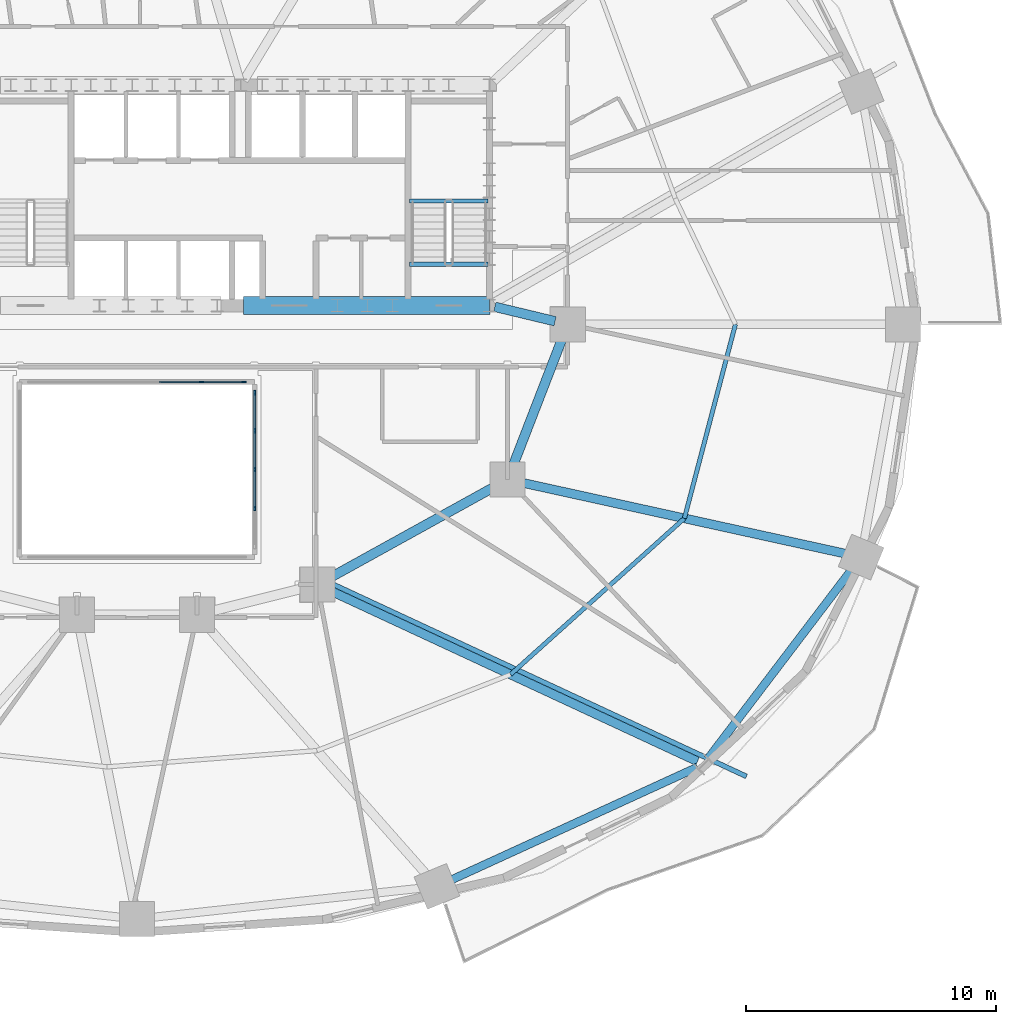
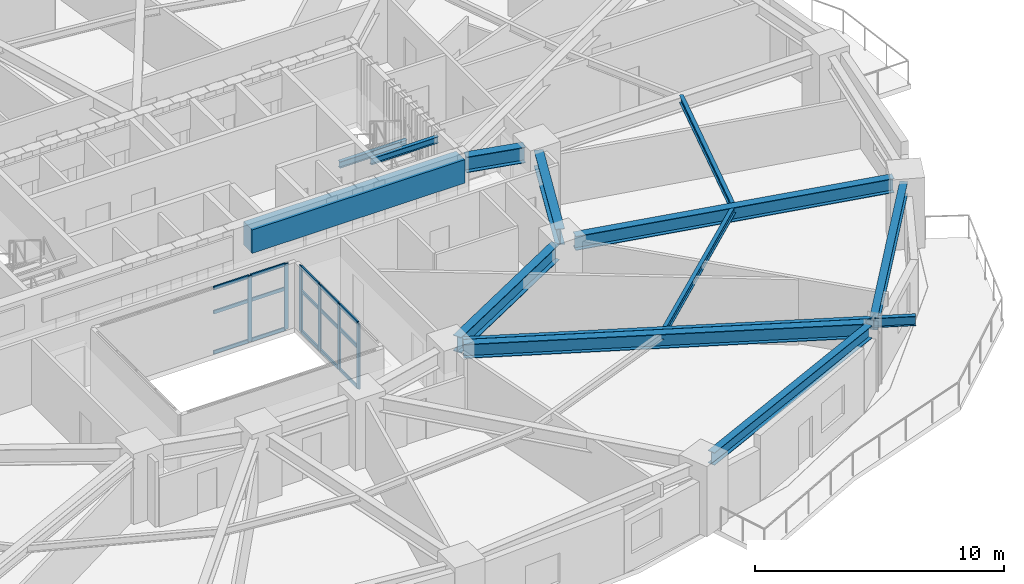
# One storey, part 6 of 17: 21 members, 13 beams, 2 elements without a shape of their own.
"""IFC4 building model written with IfcOpenShell, lengths in metres."""

import ifcopenshell
import ifcopenshell.guid

model = None  # the IFC model being written
_history = None  # IfcOwnerHistory: only IFC2X3 demands one
_inside = {}  # id of a spatial element -> (the spatial element, [elements in it])
_under = {}  # id of a project, library or spatial element -> (it, [spatial elements below it])
_declared = {}  # id of a project -> (the project, [libraries it declares])
_typed = {}  # id of a type object -> (the type object, [elements of that type])
_made_of = {}  # id of a material, layer set ... -> (it, [elements and type objects made of it])


def new_model(schema):
    """Start an empty IFC model of exactly this schema.

    Asked for "IFC4X3", IfcOpenShell would pick the latest addendum, in which some entities
    have other attributes; the version numbers below select the first issue.
    IFC2X3 requires an IfcOwnerHistory on every rooted entity: one is made here for all.
    """
    global model, _history
    if schema == "IFC4X3":
        model = ifcopenshell.file(schema_version=(4, 3, 0, 0))
    else:
        model = ifcopenshell.file(schema=schema)
    _inside.clear()
    _under.clear()
    _declared.clear()
    _typed.clear()
    _made_of.clear()
    _history = None
    if model.schema == "IFC2X3":
        org = make("IfcOrganization", Name="unknown")
        user = make(
            "IfcPersonAndOrganization",
            ThePerson=make("IfcPerson", FamilyName="unknown"),
            TheOrganization=org,
        )
        app = make(
            "IfcApplication",
            ApplicationDeveloper=org,
            Version="unknown",
            ApplicationFullName="unknown",
            ApplicationIdentifier="unknown",
        )
        _history = make(
            "IfcOwnerHistory",
            OwningUser=user,
            OwningApplication=app,
            ChangeAction="ADDED",
            CreationDate=0,
        )
    return model


def make(cls, **values):
    """One entity of the class cls with the attributes given. An attribute that is None is left unset."""
    return model.create_entity(
        cls, **{name: value for name, value in values.items() if value is not None}
    )


def rooted(cls, **values):
    """An entity with a GlobalId (a new one), such as an element, a storey or a relation."""
    return make(cls, GlobalId=ifcopenshell.guid.new(), OwnerHistory=_history, **values)


def si_unit(unit_type, name, prefix=None):
    """IfcSIUnit, for example si_unit("LENGTHUNIT", "METRE", prefix="MILLI")."""
    return make("IfcSIUnit", UnitType=unit_type, Prefix=prefix, Name=name)


def assignment(units):
    """IfcUnitAssignment: the units of a project."""
    return None if units is None else make("IfcUnitAssignment", Units=units)


def point(xyz):
    """IfcCartesianPoint."""
    return None if xyz is None else make("IfcCartesianPoint", Coordinates=xyz)


def direction(xyz):
    """IfcDirection."""
    return None if xyz is None else make("IfcDirection", DirectionRatios=xyz)


def frame(location, z_axis=None, x_axis=None):
    """IfcAxis2Placement3D, a coordinate frame: its origin and axes. An axis left out is left unset."""
    return make(
        "IfcAxis2Placement3D",
        Location=point(location),
        Axis=direction(z_axis),
        RefDirection=direction(x_axis),
    )


def frame_2d(location, x_axis=None):
    """IfcAxis2Placement2D, a coordinate frame in the plane: its origin and x axis."""
    return make(
        "IfcAxis2Placement2D", Location=point(location), RefDirection=direction(x_axis)
    )


def origin():
    """The frame at (0, 0, 0) with its axes left unset."""
    return frame((0.0, 0.0, 0.0))


def origin_2d():
    """The frame at (0, 0) in the plane with its x axis left unset."""
    return frame_2d((0.0, 0.0))


def place(relative_to, where):
    """IfcLocalPlacement: puts the frame where relative to a parent placement (None: the world)."""
    return make(
        "IfcLocalPlacement", PlacementRelTo=relative_to, RelativePlacement=where
    )


def context(
    kind, dimensions, precision=None, world=None, true_north=None, identifier=None
):
    """IfcGeometricRepresentationContext, for example the 3D "Model" context."""
    return make(
        "IfcGeometricRepresentationContext",
        ContextIdentifier=identifier,
        ContextType=kind,
        CoordinateSpaceDimension=dimensions,
        Precision=precision,
        WorldCoordinateSystem=world,
        TrueNorth=true_north,
    )


def subcontext(parent, identifier, kind, view, scale=None):
    """IfcGeometricRepresentationSubContext, for example "Body" below "Model"."""
    return make(
        "IfcGeometricRepresentationSubContext",
        ContextIdentifier=identifier,
        ContextType=kind,
        ParentContext=parent,
        TargetScale=scale,
        TargetView=view,
    )


def project(units=None, contexts=None):
    """IfcProject with its units and contexts."""
    return rooted(
        "IfcProject",
        Name="project",
        RepresentationContexts=contexts,
        UnitsInContext=assignment(units),
    )


def spatial(cls, under=None, at=None, **own):
    """A site, building, storey or space (cls), placed at a placement, below another one or the project."""
    s = rooted(cls, ObjectPlacement=at, **own)
    if under is not None:
        _under.setdefault(under.id(), (under, []))[1].append(s)
    return s


def profile(cls, at=None, kind="AREA", **sizes):
    """A parametric profile (cls). Its sizes go by their IFC names, for example OverallWidth=200.0."""
    return make(cls, ProfileType=kind, Position=at, **sizes)


def rectangle(**sizes):
    """IfcRectangleProfileDef."""
    return profile("IfcRectangleProfileDef", **sizes)


def i_section(**sizes):
    """IfcIShapeProfileDef."""
    return profile("IfcIShapeProfileDef", **sizes)


def extrude(swept, where, along, depth):
    """IfcExtrudedAreaSolid: the profile swept, set in the frame where, extruded along a direction by depth."""
    return make(
        "IfcExtrudedAreaSolid",
        SweptArea=swept,
        Position=where,
        ExtrudedDirection=direction(along),
        Depth=depth,
    )


def shape(context_of_items, identifier, shape_type, items):
    """IfcShapeRepresentation: the items that make up one representation, for example the "Body"."""
    return make(
        "IfcShapeRepresentation",
        ContextOfItems=context_of_items,
        RepresentationIdentifier=identifier,
        RepresentationType=shape_type,
        Items=items,
    )


def material(Name=None, Category=None):
    """IfcMaterial."""
    return make("IfcMaterial", Name=Name, Category=Category)


def material_profile(
    of_material, cross_section, Name=None, Category=None, Priority=None
):
    """IfcMaterialProfile: a cross section and its material."""
    return make(
        "IfcMaterialProfile",
        Name=Name,
        Material=of_material,
        Profile=cross_section,
        Priority=Priority,
        Category=Category,
    )


def profile_set(profiles, Name=None, composite=None):
    """IfcMaterialProfileSet."""
    return make(
        "IfcMaterialProfileSet",
        Name=Name,
        MaterialProfiles=profiles,
        CompositeProfile=composite,
    )


def made_of(thing, what):
    """Note that an element or type object is made of a material, layer set ...; save() writes the relation."""
    if what is not None:
        _made_of.setdefault(what.id(), (what, []))[1].append(thing)
    return thing


def type_object(cls, material=None, **own):
    """A type object (cls), such as IfcWallType, which elements share."""
    return made_of(rooted(cls, **own), material)


def element(
    cls,
    number,
    at=None,
    inside=None,
    cuts=None,
    type_object=None,
    material=None,
    context=None,
    identifier="Body",
    shape_type=None,
    held_by="IfcProductDefinitionShape",
    body=None,
    shapes=None,
    **own,
):
    """One element of the class cls, such as IfcWall. Its Tag is "e" and its number.

    at: its placement. inside: the storey or other place that contains it. cuts: it is an
    opening in that element (IfcRelVoidsElement). A single representation is given by context,
    identifier, shape_type and body (its items); several are given by shapes. held_by: the class
    of the entity that holds the representations. save() writes the other relations.
    """
    e = rooted(cls, Tag="e%d" % number, ObjectPlacement=at, **own)
    if body is not None:
        shapes = [shape(context, identifier, shape_type, body)]
    if shapes is not None:
        e.Representation = make(held_by, Representations=shapes)
    if inside is not None:
        _inside.setdefault(inside.id(), (inside, []))[1].append(e)
    if cuts is not None:
        rooted(
            "IfcRelVoidsElement", RelatingBuildingElement=cuts, RelatedOpeningElement=e
        )
    if type_object is not None:
        _typed.setdefault(type_object.id(), (type_object, []))[1].append(e)
    return made_of(e, material)


def aggregate(whole, parts):
    """IfcRelAggregates: a whole, such as a stair, and the parts it consists of."""
    return rooted("IfcRelAggregates", RelatingObject=whole, RelatedObjects=parts)


def save(model, path):
    """Write the relations noted so far, then the file.

    IfcRelAggregates (storeys below a building ...), IfcRelContainedInSpatialStructure (elements
    in a storey), IfcRelDefinesByType, IfcRelAssociatesMaterial and IfcRelDeclares: one each for
    every whole, place, type object, material and project.
    """
    for whole, parts in _under.values():
        aggregate(whole, parts)
    for where, things in _inside.values():
        rooted(
            "IfcRelContainedInSpatialStructure",
            RelatedElements=things,
            RelatingStructure=where,
        )
    for kind, things in _typed.values():
        rooted("IfcRelDefinesByType", RelatedObjects=things, RelatingType=kind)
    for what, things in _made_of.values():
        rooted("IfcRelAssociatesMaterial", RelatedObjects=things, RelatingMaterial=what)
    for by, libraries in _declared.values():
        rooted("IfcRelDeclares", RelatingContext=by, RelatedDefinitions=libraries)
    model.write(path)


model = new_model("IFC4")

# Units and contexts
model_context = context("Model", 3, precision=1e-05, world=origin(), true_north=direction((0.0, 1.0)))
body_context = subcontext(model_context, "Body", "Model", "MODEL_VIEW")
ifc_project = project(units=[si_unit("LENGTHUNIT", "METRE"), si_unit("AREAUNIT", "SQUARE_METRE"), si_unit("VOLUMEUNIT", "CUBIC_METRE"), si_unit("PLANEANGLEUNIT", "RADIAN"), si_unit("MASSUNIT", "GRAM", prefix="KILO")], contexts=[model_context])

# Site, building, storey
site_placement = place(None, origin())
site = spatial("IfcSite", under=ifc_project, at=site_placement, CompositionType="ELEMENT")
building_placement = place(site_placement, origin())
building = spatial("IfcBuilding", under=site, at=building_placement, Name="Haldorwick Loom Tower", CompositionType="ELEMENT")
storey_placement = place(building_placement, frame((0.0, 0.0, 27.449951171875)))
storey = spatial("IfcBuildingStorey", under=building, at=storey_placement, Name="L06", CompositionType="ELEMENT", Elevation=27.449951171875)

# Curtain wall, members
ifc_material_1 = material(Name="Thermally Broken Anodized Aluminium Curtain Wall Framing", Category="aluminium")
curtain_wall_type = type_object("IfcCurtainWallType", Name="ARC-CW-03", PredefinedType="NOTDEFINED", material=ifc_material_1)
curtain_wall_1_placement = place(storey_placement, origin())
curtain_wall_1 = element("IfcCurtainWall", 1, at=curtain_wall_1_placement, inside=storey, type_object=curtain_wall_type, Name="L06 Atrium Glazed Screen N", PredefinedType="NOTDEFINED")
ifc_material_profile_1 = material_profile(ifc_material_1, rectangle(XDim=0.06591796875, YDim=0.18505859375, at=origin_2d()), Name="ALU_MUL_66X185", Category="aluminium")
ifc_profile_set_1 = profile_set([ifc_material_profile_1], Name="Thermally Broken Anodized Aluminium Curtain Wall Framing")
member_type_1 = type_object("IfcMemberType", Name="ARC-CWM-03", PredefinedType="MULLION", material=ifc_profile_set_1)
member_1_placement = place(storey_placement, frame((38.580078125, 23.699951171875, 0.0), z_axis=(0.0, 0.0, 1.0), x_axis=(0.0, 1.0, 0.0)))
member_1 = element("IfcMember", 2, at=member_1_placement, type_object=member_type_1, Name="CW-03 mullion 5", PredefinedType="MULLION", context=body_context, shape_type="SweptSolid", body=[
    extrude(rectangle(XDim=0.06591796875, YDim=0.18505859375, at=origin_2d()), origin(), (0.0, 0.0, 1.0), 3.2099609375),
])
member_2_placement = place(storey_placement, frame((40.26708984375, 23.699951171875, 0.0), z_axis=(0.0, 0.0, 1.0), x_axis=(0.0, 1.0, 0.0)))
member_2 = element("IfcMember", 3, at=member_2_placement, type_object=member_type_1, Name="CW-03 mullion 6", PredefinedType="MULLION", context=body_context, shape_type="SweptSolid", body=[
    extrude(rectangle(XDim=0.06591796875, YDim=0.18505859375, at=origin_2d()), origin(), (0.0, 0.0, 1.0), 3.2099609375),
])

curtain_wall_2_placement = place(storey_placement, origin())
curtain_wall_2 = element("IfcCurtainWall", 4, at=curtain_wall_2_placement, inside=storey, type_object=curtain_wall_type, Name="L06 Atrium Glazed Screen E", PredefinedType="NOTDEFINED")
member_3_placement = place(storey_placement, frame((40.699951171875, 23.26708984375, 0.0), z_axis=(0.0, 0.0, 1.0), x_axis=(1.0, 0.0, 0.0)))
member_3 = element("IfcMember", 5, at=member_3_placement, type_object=member_type_1, Name="CW-03 mullion 1", PredefinedType="MULLION", context=body_context, shape_type="SweptSolid", body=[
    extrude(rectangle(XDim=0.06591796875, YDim=0.18505859375, at=origin_2d()), origin(), (0.0, 0.0, 1.0), 3.2099609375),
])
member_4_placement = place(storey_placement, frame((40.699951171875, 21.75, 0.0), z_axis=(0.0, 0.0, 1.0), x_axis=(1.0, 0.0, 0.0)))
member_4 = element("IfcMember", 6, at=member_4_placement, type_object=member_type_1, Name="CW-03 mullion 2", PredefinedType="MULLION", context=body_context, shape_type="SweptSolid", body=[
    extrude(rectangle(XDim=0.06591796875, YDim=0.18505859375, at=origin_2d()), origin(), (0.0, 0.0, 1.0), 3.2099609375),
])
member_5_placement = place(storey_placement, frame((40.699951171875, 20.199951171875, 0.0), z_axis=(0.0, 0.0, 1.0), x_axis=(1.0, 0.0, 0.0)))
member_5 = element("IfcMember", 7, at=member_5_placement, type_object=member_type_1, Name="CW-03 mullion 3", PredefinedType="MULLION", context=body_context, shape_type="SweptSolid", body=[
    extrude(rectangle(XDim=0.06591796875, YDim=0.18505859375, at=origin_2d()), origin(), (0.0, 0.0, 1.0), 3.2099609375),
])
member_6_placement = place(storey_placement, frame((40.699951171875, 18.64990234375, 0.0), z_axis=(0.0, 0.0, 1.0), x_axis=(1.0, 0.0, 0.0)))
member_6 = element("IfcMember", 8, at=member_6_placement, type_object=member_type_1, Name="CW-03 mullion 4", PredefinedType="MULLION", context=body_context, shape_type="SweptSolid", body=[
    extrude(rectangle(XDim=0.06591796875, YDim=0.18505859375, at=origin_2d()), origin(), (0.0, 0.0, 1.0), 3.2099609375),
])

# Member
ifc_material_profile_2 = material_profile(ifc_material_1, rectangle(XDim=0.06591796875, YDim=0.1650390625, at=origin_2d()), Name="ALU_TRN_66X165", Category="aluminium")
ifc_profile_set_2 = profile_set([ifc_material_profile_2], Name="Thermally Broken Anodized Aluminium Curtain Wall Framing")
member_type_2 = type_object("IfcMemberType", Name="ARC-CWT-03", PredefinedType="USERDEFINED", material=ifc_profile_set_2)
member_7_placement = place(storey_placement, frame((36.89306640625, 23.699951171875, 0.032958984375), z_axis=(1.0, 0.0, 0.0), x_axis=(0.0, 1.0, 0.0)))
member_7 = element("IfcMember", 9, at=member_7_placement, type_object=member_type_2, Name="CW-03 transom 4.1", ObjectType="TRANSOM", PredefinedType="USERDEFINED", context=body_context, shape_type="SweptSolid", body=[
    extrude(rectangle(XDim=0.06591796875, YDim=0.1650390625, at=origin_2d()), origin(), (0.0, 0.0, 1.0), 1.654052734375),
])

member_8_placement = place(storey_placement, frame((36.89306640625, 23.699951171875, 2.0), z_axis=(1.0, 0.0, 0.0), x_axis=(0.0, 1.0, 0.0)))
member_8 = element("IfcMember", 10, at=member_8_placement, type_object=member_type_2, Name="CW-03 transom 4.2", ObjectType="TRANSOM", PredefinedType="USERDEFINED", context=body_context, shape_type="SweptSolid", body=[
    extrude(rectangle(XDim=0.06591796875, YDim=0.1650390625, at=origin_2d()), origin(), (0.0, 0.0, 1.0), 1.654052734375),
])

member_9_placement = place(storey_placement, frame((36.89306640625, 23.699951171875, 3.177001953125), z_axis=(1.0, 0.0, 0.0), x_axis=(0.0, 1.0, 0.0)))
member_9 = element("IfcMember", 11, at=member_9_placement, type_object=member_type_2, Name="CW-03 transom 4.3", ObjectType="TRANSOM", PredefinedType="USERDEFINED", context=body_context, shape_type="SweptSolid", body=[
    extrude(rectangle(XDim=0.06591796875, YDim=0.1650390625, at=origin_2d()), origin(), (0.0, 0.0, 1.0), 1.654052734375),
])

member_10_placement = place(storey_placement, frame((38.613037109375, 23.699951171875, 0.032958984375), z_axis=(1.0, 0.0, 0.0), x_axis=(0.0, 1.0, 0.0)))
member_10 = element("IfcMember", 12, at=member_10_placement, type_object=member_type_2, Name="CW-03 transom 5.1", ObjectType="TRANSOM", PredefinedType="USERDEFINED", context=body_context, shape_type="SweptSolid", body=[
    extrude(rectangle(XDim=0.06591796875, YDim=0.1650390625, at=origin_2d()), origin(), (0.0, 0.0, 1.0), 1.620849609375),
])

member_11_placement = place(storey_placement, frame((38.613037109375, 23.699951171875, 2.0), z_axis=(1.0, 0.0, 0.0), x_axis=(0.0, 1.0, 0.0)))
member_11 = element("IfcMember", 13, at=member_11_placement, type_object=member_type_2, Name="CW-03 transom 5.2", ObjectType="TRANSOM", PredefinedType="USERDEFINED", context=body_context, shape_type="SweptSolid", body=[
    extrude(rectangle(XDim=0.06591796875, YDim=0.1650390625, at=origin_2d()), origin(), (0.0, 0.0, 1.0), 1.620849609375),
])

member_12_placement = place(storey_placement, frame((38.613037109375, 23.699951171875, 3.177001953125), z_axis=(1.0, 0.0, 0.0), x_axis=(0.0, 1.0, 0.0)))
member_12 = element("IfcMember", 14, at=member_12_placement, type_object=member_type_2, Name="CW-03 transom 5.3", ObjectType="TRANSOM", PredefinedType="USERDEFINED", context=body_context, shape_type="SweptSolid", body=[
    extrude(rectangle(XDim=0.06591796875, YDim=0.1650390625, at=origin_2d()), origin(), (0.0, 0.0, 1.0), 1.620849609375),
])

aggregate(curtain_wall_1, [member_1, member_2, member_7, member_8, member_9, member_10, member_11, member_12])

member_13_placement = place(storey_placement, frame((40.699951171875, 23.23388671875, 0.032958984375), z_axis=(0.0, -1.0, 0.0), x_axis=(1.0, 0.0, 0.0)))
member_13 = element("IfcMember", 15, at=member_13_placement, type_object=member_type_2, Name="CW-03 transom 1.1", ObjectType="TRANSOM", PredefinedType="USERDEFINED", context=body_context, shape_type="SweptSolid", body=[
    extrude(rectangle(XDim=0.06591796875, YDim=0.1650390625, at=origin_2d()), origin(), (0.0, 0.0, 1.0), 1.450927734375),
])

member_14_placement = place(storey_placement, frame((40.699951171875, 23.23388671875, 2.0), z_axis=(0.0, -1.0, 0.0), x_axis=(1.0, 0.0, 0.0)))
member_14 = element("IfcMember", 16, at=member_14_placement, type_object=member_type_2, Name="CW-03 transom 1.2", ObjectType="TRANSOM", PredefinedType="USERDEFINED", context=body_context, shape_type="SweptSolid", body=[
    extrude(rectangle(XDim=0.06591796875, YDim=0.1650390625, at=origin_2d()), origin(), (0.0, 0.0, 1.0), 1.450927734375),
])

member_15_placement = place(storey_placement, frame((40.699951171875, 23.23388671875, 3.177001953125), z_axis=(0.0, -1.0, 0.0), x_axis=(1.0, 0.0, 0.0)))
member_15 = element("IfcMember", 17, at=member_15_placement, type_object=member_type_2, Name="CW-03 transom 1.3", ObjectType="TRANSOM", PredefinedType="USERDEFINED", context=body_context, shape_type="SweptSolid", body=[
    extrude(rectangle(XDim=0.06591796875, YDim=0.1650390625, at=origin_2d()), origin(), (0.0, 0.0, 1.0), 1.450927734375),
])

member_16_placement = place(storey_placement, frame((40.699951171875, 21.717041015625, 0.032958984375), z_axis=(0.0, -1.0, 0.0), x_axis=(1.0, 0.0, 0.0)))
member_16 = element("IfcMember", 18, at=member_16_placement, type_object=member_type_2, Name="CW-03 transom 2.1", ObjectType="TRANSOM", PredefinedType="USERDEFINED", context=body_context, shape_type="SweptSolid", body=[
    extrude(rectangle(XDim=0.06591796875, YDim=0.1650390625, at=origin_2d()), origin(), (0.0, 0.0, 1.0), 1.484130859375),
])

member_17_placement = place(storey_placement, frame((40.699951171875, 21.717041015625, 2.0), z_axis=(0.0, -1.0, 0.0), x_axis=(1.0, 0.0, 0.0)))
member_17 = element("IfcMember", 19, at=member_17_placement, type_object=member_type_2, Name="CW-03 transom 2.2", ObjectType="TRANSOM", PredefinedType="USERDEFINED", context=body_context, shape_type="SweptSolid", body=[
    extrude(rectangle(XDim=0.06591796875, YDim=0.1650390625, at=origin_2d()), origin(), (0.0, 0.0, 1.0), 1.484130859375),
])

member_18_placement = place(storey_placement, frame((40.699951171875, 21.717041015625, 3.177001953125), z_axis=(0.0, -1.0, 0.0), x_axis=(1.0, 0.0, 0.0)))
member_18 = element("IfcMember", 20, at=member_18_placement, type_object=member_type_2, Name="CW-03 transom 2.3", ObjectType="TRANSOM", PredefinedType="USERDEFINED", context=body_context, shape_type="SweptSolid", body=[
    extrude(rectangle(XDim=0.06591796875, YDim=0.1650390625, at=origin_2d()), origin(), (0.0, 0.0, 1.0), 1.484130859375),
])

member_19_placement = place(storey_placement, frame((40.699951171875, 20.1669921875, 0.032958984375), z_axis=(0.0, -1.0, 0.0), x_axis=(1.0, 0.0, 0.0)))
member_19 = element("IfcMember", 21, at=member_19_placement, type_object=member_type_2, Name="CW-03 transom 3.1", ObjectType="TRANSOM", PredefinedType="USERDEFINED", context=body_context, shape_type="SweptSolid", body=[
    extrude(rectangle(XDim=0.06591796875, YDim=0.1650390625, at=origin_2d()), origin(), (0.0, 0.0, 1.0), 1.48388671875),
])

member_20_placement = place(storey_placement, frame((40.699951171875, 20.1669921875, 2.0), z_axis=(0.0, -1.0, 0.0), x_axis=(1.0, 0.0, 0.0)))
member_20 = element("IfcMember", 22, at=member_20_placement, type_object=member_type_2, Name="CW-03 transom 3.2", ObjectType="TRANSOM", PredefinedType="USERDEFINED", context=body_context, shape_type="SweptSolid", body=[
    extrude(rectangle(XDim=0.06591796875, YDim=0.1650390625, at=origin_2d()), origin(), (0.0, 0.0, 1.0), 1.48388671875),
])

member_21_placement = place(storey_placement, frame((40.699951171875, 20.1669921875, 3.177001953125), z_axis=(0.0, -1.0, 0.0), x_axis=(1.0, 0.0, 0.0)))
member_21 = element("IfcMember", 23, at=member_21_placement, type_object=member_type_2, Name="CW-03 transom 3.3", ObjectType="TRANSOM", PredefinedType="USERDEFINED", context=body_context, shape_type="SweptSolid", body=[
    extrude(rectangle(XDim=0.06591796875, YDim=0.1650390625, at=origin_2d()), origin(), (0.0, 0.0, 1.0), 1.48388671875),
])

aggregate(curtain_wall_2, [member_3, member_4, member_5, member_6, member_13, member_14, member_15, member_16, member_17, member_18, member_19, member_20, member_21])

# Beams
ifc_material_2 = material(Name="Steel CSA G40.21 350W", Category="steel")
ifc_material_profile_3 = material_profile(ifc_material_2, i_section(OverallWidth=0.193115234375, OverallDepth=0.466064453125, WebThickness=0.011474609375, FlangeThickness=0.01904296875, at=origin_2d()), Name="W460X97", Category="steel")
ifc_profile_set_3 = profile_set([ifc_material_profile_3], Name="Steel CSA G40.21 350W")
beam_type_1 = type_object("IfcBeamType", Name="STR-BM-BAL460", PredefinedType="BEAM", material=ifc_profile_set_3)
beam_1_placement = place(storey_placement, frame((43.78955078125, 15.634765625, 2.97705078125), z_axis=(0.906835669686, -0.42148436292, 0.0), x_axis=(0.42148436292, 0.906835669686, 0.0)))
element("IfcBeam", 24, at=beam_1_placement, inside=storey, type_object=beam_type_1, Name="L06 Continuous Back-Spanned Balcony Beam 1", PredefinedType="BEAM", context=body_context, shape_type="SweptSolid", body=[
    extrude(i_section(OverallWidth=0.193115234375, OverallDepth=0.466064453125, WebThickness=0.011474609375, FlangeThickness=0.01904296875, at=origin_2d()), origin(), (0.0, 0.0, 1.0), 18.245361328125),
])
ifc_material_3 = material(Name="Concrete C60 (60 MPa)", Category="concrete")
ifc_material_profile_4 = material_profile(ifc_material_3, rectangle(XDim=0.699951171875, YDim=1.14990234375, at=origin_2d()), Name="RC700X1150", Category="concrete")
ifc_profile_set_4 = profile_set([ifc_material_profile_4], Name="Concrete C60 (60 MPa)")
beam_type_2 = type_object("IfcBeamType", Name="STR-BM-CB1150", PredefinedType="LINTEL", material=ifc_profile_set_4)
beam_2_placement = place(storey_placement, frame((40.25, 26.75, 2.635009765625), z_axis=(1.0, 0.0, 0.0), x_axis=(0.0, 1.0, 0.0)))
element("IfcBeam", 25, at=beam_2_placement, inside=storey, type_object=beam_type_2, Name="L06 Core Coupling Beam CB-S3", PredefinedType="LINTEL", context=body_context, shape_type="SweptSolid", body=[
    extrude(rectangle(XDim=0.699951171875, YDim=1.14990234375, at=origin_2d()), origin(), (0.0, 0.0, 1.0), 9.85009765625),
])
ifc_material_profile_5 = material_profile(ifc_material_2, i_section(OverallWidth=0.172119140625, OverallDepth=0.35791015625, WebThickness=0.0078125, FlangeThickness=0.01318359375, at=origin_2d()), Name="W360X57", Category="steel")
ifc_profile_set_5 = profile_set([ifc_material_profile_5], Name="Steel CSA G40.21 350W")
beam_type_3 = type_object("IfcBeamType", Name="STR-BM-J360", PredefinedType="JOIST", material=ifc_profile_set_5)
beam_3_placement = place(storey_placement, frame((50.9150390625, 12.01416015625, 3.031005859375), z_axis=(0.743981830112, 0.668199847698, 0.0), x_axis=(-0.668199847698, 0.743981830112, 0.0)))
element("IfcBeam", 26, at=beam_3_placement, inside=storey, type_object=beam_type_3, Name="L06 Mid-Bay Secondary Joist 15", PredefinedType="JOIST", context=body_context, shape_type="SweptSolid", body=[
    extrude(i_section(OverallWidth=0.172119140625, OverallDepth=0.35791015625, WebThickness=0.0078125, FlangeThickness=0.01318359375, at=origin_2d()), origin(), (0.0, 0.0, 1.0), 9.3330078125),
])
beam_4_placement = place(storey_placement, frame((57.858642578125, 18.25048828125, 3.031005859375), z_axis=(0.2544888003, 0.967075721193, 0.0), x_axis=(-0.967075721193, 0.2544888003, 0.0)))
element("IfcBeam", 27, at=beam_4_placement, inside=storey, type_object=beam_type_3, Name="L06 Mid-Bay Secondary Joist 16", PredefinedType="JOIST", context=body_context, shape_type="SweptSolid", body=[
    extrude(i_section(OverallWidth=0.172119140625, OverallDepth=0.35791015625, WebThickness=0.0078125, FlangeThickness=0.01318359375, at=origin_2d()), origin(), (0.0, 0.0, 1.0), 8.013427734375),
])
ifc_material_profile_6 = material_profile(ifc_material_2, i_section(OverallWidth=0.324951171875, OverallDepth=0.615966796875, WebThickness=0.013916015625, FlangeThickness=0.021484375, at=origin_2d()), Name="W610X174", Category="steel")
ifc_profile_set_6 = profile_set([ifc_material_profile_6], Name="Steel CSA G40.21 350W")
beam_type_4 = type_object("IfcBeamType", Name="STR-BM-SP610", PredefinedType="SPANDREL", material=ifc_profile_set_6)
beam_5_placement = place(storey_placement, frame((48.45068359375, 3.76611328125, 2.902099609375), z_axis=(0.909173805321, 0.416416848504, 0.0), x_axis=(-0.416416848504, 0.909173805321, 0.0)))
element("IfcBeam", 28, at=beam_5_placement, inside=storey, type_object=beam_type_4, Name="L06 Perimeter Spandrel 14", PredefinedType="SPANDREL", context=body_context, shape_type="SweptSolid", body=[
    extrude(i_section(OverallWidth=0.324951171875, OverallDepth=0.615966796875, WebThickness=0.013916015625, FlangeThickness=0.021484375, at=origin_2d()), origin(), (0.0, 0.0, 1.0), 10.92138671875),
])
beam_6_placement = place(storey_placement, frame((58.796630859375, 8.647216796875, 2.902099609375), z_axis=(0.605084557744, 0.796161213562, 0.0), x_axis=(-0.796161213562, 0.605084557744, 0.0)))
element("IfcBeam", 29, at=beam_6_placement, inside=storey, type_object=beam_type_4, Name="L06 Perimeter Spandrel 15", PredefinedType="SPANDREL", context=body_context, shape_type="SweptSolid", body=[
    extrude(i_section(OverallWidth=0.324951171875, OverallDepth=0.615966796875, WebThickness=0.013916015625, FlangeThickness=0.021484375, at=origin_2d()), origin(), (0.0, 0.0, 1.0), 9.595703125),
])
ifc_material_profile_7 = material_profile(ifc_material_2, i_section(OverallWidth=0.166015625, OverallDepth=0.31298828125, WebThickness=0.006591796875, FlangeThickness=0.01123046875, at=origin_2d()), Name="W310X45", Category="steel")
ifc_profile_set_7 = profile_set([ifc_material_profile_7], Name="Steel CSA G40.21 350W")
beam_type_5 = type_object("IfcBeamType", Name="STR-BM-STRM", PredefinedType="BEAM", material=ifc_profile_set_7)
for number, where, z_axis, x_axis, name in (
    (30, (46.889892578125, 28.39990234375, 3.053466796875), (1.0, 0.0, 0.0), (0.0, 1.0, 0.0), "L06 Stair ST-02 Landing Edge Trimmer"),
    (31, (46.889892578125, 30.919921875, 1.36865234375), (1.0, 0.0, 0.0), (0.0, 1.0, 0.0), "L06 Stair ST-02 Half-Landing Trimmer 1"),
):
    element("IfcBeam", number, at=place(storey_placement, frame(where, z_axis=z_axis, x_axis=x_axis)), inside=storey, type_object=beam_type_5, Name=name, PredefinedType="BEAM", context=body_context, shape_type="SweptSolid", body=[
        extrude(i_section(OverallWidth=0.166015625, OverallDepth=0.31298828125, WebThickness=0.006591796875, FlangeThickness=0.01123046875, at=origin_2d()), origin(), (0.0, 0.0, 1.0), 3.1201171875),
    ])
ifc_material_profile_8 = material_profile(ifc_material_2, i_section(OverallWidth=0.35498046875, OverallDepth=0.695068359375, WebThickness=0.015380859375, FlangeThickness=0.02490234375, at=origin_2d()), Name="W690X217", Category="steel")
ifc_profile_set_8 = profile_set([ifc_material_profile_8], Name="Steel CSA G40.21 350W")
beam_type_6 = type_object("IfcBeamType", Name="STR-BM-W690", PredefinedType="BEAM", material=ifc_profile_set_8)
beam_7_placement = place(storey_placement, frame((43.671630859375, 15.380859375, 2.862548828125), z_axis=(0.90683498532, -0.421485835349, 0.0), x_axis=(0.421485835349, 0.90683498532, 0.0)))
element("IfcBeam", 32, at=beam_7_placement, inside=storey, type_object=beam_type_6, Name="L06 Radial Floor Girder 15", PredefinedType="BEAM", context=body_context, shape_type="SweptSolid", body=[
    extrude(i_section(OverallWidth=0.35498046875, OverallDepth=0.695068359375, WebThickness=0.015380859375, FlangeThickness=0.02490234375, at=origin_2d()), origin(), (0.0, 0.0, 1.0), 16.220458984375),
])
beam_8_placement = place(storey_placement, frame((51.307861328125, 19.6884765625, 2.862548828125), z_axis=(0.976740159434, -0.214426353203, 0.0), x_axis=(0.214426353203, 0.976740159434, 0.0)))
element("IfcBeam", 33, at=beam_8_placement, inside=storey, type_object=beam_type_6, Name="L06 Radial Floor Girder 16", PredefinedType="BEAM", context=body_context, shape_type="SweptSolid", body=[
    extrude(i_section(OverallWidth=0.35498046875, OverallDepth=0.695068359375, WebThickness=0.015380859375, FlangeThickness=0.02490234375, at=origin_2d()), origin(), (0.0, 0.0, 1.0), 13.41357421875),
])
ifc_material_profile_9 = material_profile(ifc_material_2, i_section(OverallWidth=0.381103515625, OverallDepth=0.77294921875, WebThickness=0.0166015625, FlangeThickness=0.027587890625, at=origin_2d()), Name="W760X257", Category="steel")
ifc_profile_set_9 = profile_set([ifc_material_profile_9], Name="Steel CSA G40.21 350W")
beam_type_7 = type_object("IfcBeamType", Name="STR-BM-W760", PredefinedType="BEAM", material=ifc_profile_set_9)
beam_9_placement = place(storey_placement, frame((50.288818359375, 26.697509765625, 2.823486328125), z_axis=(0.97247055837, -0.233025777764, 0.0), x_axis=(0.233025777764, 0.97247055837, 0.0)))
element("IfcBeam", 34, at=beam_9_placement, inside=storey, type_object=beam_type_7, Name="L06 Inner Ring Girder 1", PredefinedType="BEAM", context=body_context, shape_type="SweptSolid", body=[
    extrude(i_section(OverallWidth=0.381103515625, OverallDepth=0.77294921875, WebThickness=0.0166015625, FlangeThickness=0.027587890625, at=origin_2d()), origin(), (0.0, 0.0, 1.0), 2.4736328125),
])
beam_10_placement = place(storey_placement, frame((53.01220703125, 25.51513671875, 2.823486328125), z_axis=(-0.360964792353, -0.93257944363, 0.0), x_axis=(0.93257944363, -0.360964792353, 0.0)))
element("IfcBeam", 35, at=beam_10_placement, inside=storey, type_object=beam_type_7, Name="L06 Inner Ring Girder 2", PredefinedType="BEAM", context=body_context, shape_type="SweptSolid", body=[
    extrude(i_section(OverallWidth=0.381103515625, OverallDepth=0.77294921875, WebThickness=0.0166015625, FlangeThickness=0.027587890625, at=origin_2d()), origin(), (0.0, 0.0, 1.0), 5.6083984375),
])
beam_11_placement = place(storey_placement, frame((50.344970703125, 19.548583984375, 2.823486328125), z_axis=(-0.875244382146, -0.483680960471, 0.0), x_axis=(0.483680960471, -0.875244382146, 0.0)))
element("IfcBeam", 36, at=beam_11_placement, inside=storey, type_object=beam_type_7, Name="L06 Inner Ring Girder 3", PredefinedType="BEAM", context=body_context, shape_type="SweptSolid", body=[
    extrude(i_section(OverallWidth=0.381103515625, OverallDepth=0.77294921875, WebThickness=0.0166015625, FlangeThickness=0.027587890625, at=origin_2d()), origin(), (0.0, 0.0, 1.0), 7.6435546875),
])

save(model, "model.ifc")
